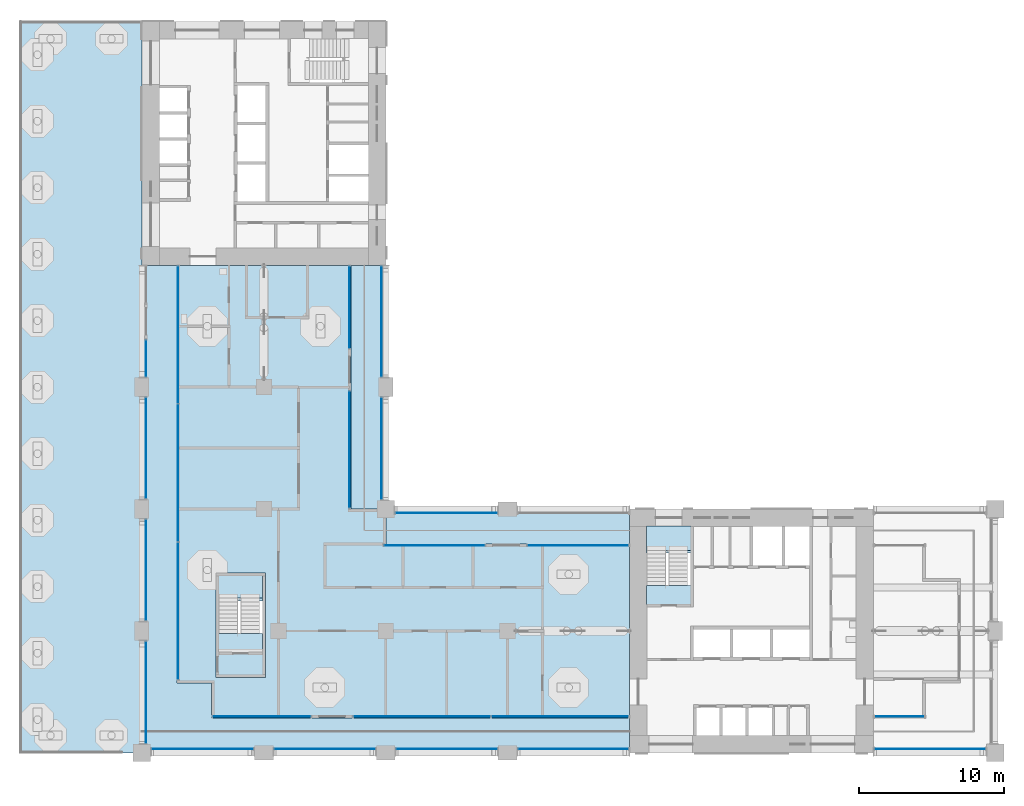
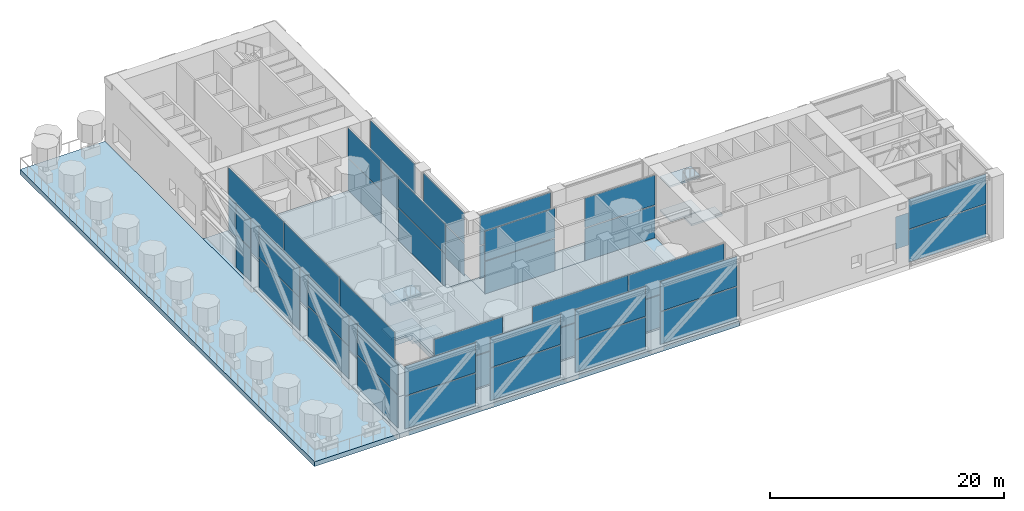
# One storey, part 7 of 22: 45 plates, 12 slabs, 22 elements without a shape of their own.
"""IFC4 building model written with IfcOpenShell, lengths in metres."""

from ifc_helpers import new_model, si_unit, direction, frame, origin, origin_2d, place, context, subcontext, project, spatial, polyline, rectangle, outline, extrude, material, layer, layer_set, type_object, element, aggregate, save


model = new_model("IFC4")

# Units and contexts
model_context = context("Model", 3, precision=1e-05, world=origin(), true_north=direction((0.0, 1.0)))
body_context = subcontext(model_context, "Body", "Model", "MODEL_VIEW")
ifc_project = project(units=[si_unit("LENGTHUNIT", "METRE"), si_unit("AREAUNIT", "SQUARE_METRE"), si_unit("VOLUMEUNIT", "CUBIC_METRE"), si_unit("PLANEANGLEUNIT", "RADIAN"), si_unit("MASSUNIT", "GRAM", prefix="KILO")], contexts=[model_context])

# Site, building, storey
site_placement = place(None, origin())
site = spatial("IfcSite", under=ifc_project, at=site_placement, CompositionType="ELEMENT")
building_placement = place(site_placement, origin())
building = spatial("IfcBuilding", under=site, at=building_placement, Name="Vermilion Gate Residences", CompositionType="ELEMENT")
storey_placement = place(building_placement, frame((0.0, 0.0, 140.699951171875)))
storey = spatial("IfcBuildingStorey", under=building, at=storey_placement, Name="L36", CompositionType="ELEMENT", Elevation=140.699951171875)

# Slabs
ifc_material_1 = material(Name="Concrete C50", Category="concrete")
ifc_layer_1 = layer(ifc_material_1, 0.5)
ifc_layer_set_1 = layer_set([ifc_layer_1], Name="RC CORE FLOOR SLAB 500 C50")
slab_type_1 = type_object("IfcSlabType", Name="RC CORE FLOOR SLAB 500 C50", PredefinedType="FLOOR", material=ifc_layer_set_1)
slab_1_placement = place(storey_placement, frame((0.0, 0.0, -0.5)))
element("IfcSlab", 1, at=slab_1_placement, inside=storey, type_object=slab_type_1, Name="Apex stair floor slab 36", PredefinedType="FLOOR", context=body_context, shape_type="SweptSolid", body=[
    extrude(outline(polyline([(13.5, 13.60009765625), (16.89990234375, 13.60009765625), (16.89990234375, 20.800048828125), (13.5, 20.800048828125), (13.5, 13.60009765625)]), holes=[polyline([(16.699951171875, 20.60009765625), (16.699951171875, 16.449951171875), (13.699951171875, 16.449951171875), (13.699951171875, 20.60009765625), (16.699951171875, 20.60009765625)])]), origin(), (0.0, 0.0, 1.0), 0.5),
])
ifc_material_2 = material(Name="Concrete C60 red-oxide pigmented", Category="concrete")
ifc_layer_2 = layer(ifc_material_2, 0.5)
ifc_layer_set_2 = layer_set([ifc_layer_2], Name="RC LOGGIA SLAB 500 C60")
slab_type_2 = type_object("IfcSlabType", Name="RC LOGGIA SLAB 500 C60", PredefinedType="FLOOR", material=ifc_layer_set_2)
slab_2_placement = place(storey_placement, frame((0.0, 0.0, -0.5)))
element("IfcSlab", 2, at=slab_2_placement, inside=storey, type_object=slab_type_2, Name="Loggia slab L36", PredefinedType="FLOOR", context=body_context, shape_type="SweptSolid", body=[
    extrude(outline(polyline([(8.39990234375, 42.0), (8.39990234375, 8.39990234375), (42.0, 8.39990234375), (42.0, 10.800048828125), (13.199951171875, 10.800048828125), (13.199951171875, 13.199951171875), (10.800048828125, 13.199951171875), (10.800048828125, 42.0), (8.39990234375, 42.0)])), origin(), (0.0, 0.0, 1.0), 0.5),
])
slab_3_placement = place(storey_placement, frame((0.0, 0.0, -0.5)))
element("IfcSlab", 3, at=slab_3_placement, inside=storey, type_object=slab_type_2, Name="Loggia slab L36", PredefinedType="FLOOR", context=body_context, shape_type="SweptSolid", body=[
    extrude(outline(polyline([(42.0, 25.199951171875), (25.199951171875, 25.199951171875), (25.199951171875, 22.800048828125), (42.0, 22.800048828125), (42.0, 25.199951171875)])), origin(), (0.0, 0.0, 1.0), 0.5),
])
slab_4_placement = place(storey_placement, frame((0.0, 0.0, -0.5)))
element("IfcSlab", 4, at=slab_4_placement, inside=storey, type_object=slab_type_2, Name="Loggia slab L36", PredefinedType="FLOOR", context=body_context, shape_type="SweptSolid", body=[
    extrude(outline(polyline([(22.800048828125, 42.0), (22.800048828125, 25.199951171875), (25.199951171875, 25.199951171875), (25.199951171875, 42.0), (22.800048828125, 42.0)])), origin(), (0.0, 0.0, 1.0), 0.5),
])
ifc_material_3 = material(Name="Concrete C60", Category="concrete")
ifc_layer_3 = layer(ifc_material_3, 0.5)
ifc_layer_set_3 = layer_set([ifc_layer_3], Name="RC SKY FLOOR SLAB 500 C60")
slab_type_3 = type_object("IfcSlabType", Name="RC SKY FLOOR SLAB 500 C60", PredefinedType="FLOOR", material=ifc_layer_set_3)
slab_5_placement = place(storey_placement, frame((0.0, 0.0, -0.5)))
element("IfcSlab", 5, at=slab_5_placement, inside=storey, type_object=slab_type_3, Name="Floor slab L36", PredefinedType="FLOOR", context=body_context, shape_type="SweptSolid", body=[
    extrude(outline(polyline([(22.800048828125, 25.199951171875), (22.800048828125, 42.0), (10.800048828125, 42.0), (10.800048828125, 13.199951171875), (13.199951171875, 13.199951171875), (13.199951171875, 10.800048828125), (42.0, 10.800048828125), (42.0, 22.800048828125), (25.199951171875, 22.800048828125), (25.199951171875, 25.199951171875), (22.800048828125, 25.199951171875)]), holes=[polyline([(13.5, 13.60009765625), (13.5, 20.800048828125), (16.89990234375, 20.800048828125), (16.89990234375, 13.60009765625), (13.5, 13.60009765625)])]), origin(), (0.0, 0.0, 1.0), 0.5),
])
ifc_material_4 = material(Name="Concrete C60", Category="concrete")
ifc_layer_4 = layer(ifc_material_4, 0.5)
ifc_layer_set_4 = layer_set([ifc_layer_4], Name="RC TERRACE SLAB 500 C60")
slab_type_4 = type_object("IfcSlabType", Name="RC TERRACE SLAB 500 C60", PredefinedType="FLOOR", material=ifc_layer_set_4)
slab_6_placement = place(storey_placement, frame((0.0, 0.0, -0.5)))
element("IfcSlab", 6, at=slab_6_placement, inside=storey, type_object=slab_type_4, Name="Terrace slab L36", PredefinedType="FLOOR", context=body_context, shape_type="SweptSolid", body=[
    extrude(outline(polyline([(0.0, 58.800048828125), (0.0, 8.39990234375), (8.39990234375, 8.39990234375), (8.39990234375, 58.800048828125), (0.0, 58.800048828125)])), origin(), (0.0, 0.0, 1.0), 0.5),
])

# Curtain wall, plates
ifc_material_5 = material(Name="Aluminium and glass", Category="aluminium")
curtain_wall_type = type_object("IfcCurtainWallType", Name="SKY GARDEN GLAZING CURTAIN WALL", PredefinedType="NOTDEFINED", material=ifc_material_5)
curtain_wall_1_placement = place(storey_placement, origin())
curtain_wall_1 = element("IfcCurtainWall", 7, at=curtain_wall_1_placement, inside=storey, type_object=curtain_wall_type, Name="Sky Garden Glazing 0", PredefinedType="NOTDEFINED")
ifc_material_6 = material(Name="Clear laminated glass", Category="glass")
ifc_layer_5 = layer(ifc_material_6, 0.035888671875)
ifc_layer_set_5 = layer_set([ifc_layer_5], Name="SKY GARDEN GLAZING GLASS PANEL 36")
plate_type = type_object("IfcPlateType", Name="SKY GARDEN GLAZING GLASS PANEL 36", PredefinedType="CURTAIN_PANEL", material=ifc_layer_set_5)
plate_1_placement = place(storey_placement, frame((10.89990234375, 37.21337890625, 0.080078125), z_axis=(0.0, 0.0, 1.0), x_axis=(0.0, -1.0, 0.0)))
plate_1 = element("IfcPlate", 8, at=plate_1_placement, type_object=plate_type, Name="ECW3 panel 1.1", PredefinedType="CURTAIN_PANEL", context=body_context, shape_type="SweptSolid", body=[
    extrude(rectangle(XDim=9.413330078125, YDim=0.035888671875, at=origin_2d()), origin(), (0.0, 0.0, 1.0), 3.3798828125),
])
plate_2_placement = place(storey_placement, frame((10.89990234375, 37.21337890625, 3.5400390625), z_axis=(0.0, 0.0, 1.0), x_axis=(0.0, -1.0, 0.0)))
plate_2 = element("IfcPlate", 9, at=plate_2_placement, type_object=plate_type, Name="ECW3 panel 1.2", PredefinedType="CURTAIN_PANEL", context=body_context, shape_type="SweptSolid", body=[
    extrude(rectangle(XDim=9.413330078125, YDim=0.035888671875, at=origin_2d()), origin(), (0.0, 0.0, 1.0), 3.10009765625),
])
plate_3_placement = place(storey_placement, frame((10.89990234375, 27.699951171875, 0.080078125), z_axis=(0.0, 0.0, 1.0), x_axis=(0.0, -1.0, 0.0)))
plate_3 = element("IfcPlate", 10, at=plate_3_placement, type_object=plate_type, Name="ECW3 panel 2.1", PredefinedType="CURTAIN_PANEL", context=body_context, shape_type="SweptSolid", body=[
    extrude(rectangle(XDim=9.453369140625, YDim=0.035888671875, at=origin_2d()), origin(), (0.0, 0.0, 1.0), 3.3798828125),
])
plate_4_placement = place(storey_placement, frame((10.89990234375, 27.699951171875, 3.5400390625), z_axis=(0.0, 0.0, 1.0), x_axis=(0.0, -1.0, 0.0)))
plate_4 = element("IfcPlate", 11, at=plate_4_placement, type_object=plate_type, Name="ECW3 panel 2.2", PredefinedType="CURTAIN_PANEL", context=body_context, shape_type="SweptSolid", body=[
    extrude(rectangle(XDim=9.453369140625, YDim=0.035888671875, at=origin_2d()), origin(), (0.0, 0.0, 1.0), 3.10009765625),
])
plate_5_placement = place(storey_placement, frame((10.89990234375, 18.186767578125, 0.080078125), z_axis=(0.0, 0.0, 1.0), x_axis=(0.0, -1.0, 0.0)))
plate_5 = element("IfcPlate", 12, at=plate_5_placement, type_object=plate_type, Name="ECW3 panel 3.1", PredefinedType="CURTAIN_PANEL", context=body_context, shape_type="SweptSolid", body=[
    extrude(rectangle(XDim=9.413330078125, YDim=0.035888671875, at=origin_2d()), origin(), (0.0, 0.0, 1.0), 3.3798828125),
])
plate_6_placement = place(storey_placement, frame((10.89990234375, 18.186767578125, 3.5400390625), z_axis=(0.0, 0.0, 1.0), x_axis=(0.0, -1.0, 0.0)))
plate_6 = element("IfcPlate", 13, at=plate_6_placement, type_object=plate_type, Name="ECW3 panel 3.2", PredefinedType="CURTAIN_PANEL", context=body_context, shape_type="SweptSolid", body=[
    extrude(rectangle(XDim=9.413330078125, YDim=0.035888671875, at=origin_2d()), origin(), (0.0, 0.0, 1.0), 3.10009765625),
])
aggregate(curtain_wall_1, [plate_1, plate_2, plate_3, plate_4, plate_5, plate_6])

curtain_wall_2_placement = place(storey_placement, origin())
curtain_wall_2 = element("IfcCurtainWall", 14, at=curtain_wall_2_placement, inside=storey, type_object=curtain_wall_type, Name="Sky Garden Glazing 30", PredefinedType="NOTDEFINED")
plate_7_placement = place(storey_placement, frame((16.64990234375, 10.89990234375, 0.080078125), z_axis=(0.0, 0.0, 1.0), x_axis=(1.0, 0.0, 0.0)))
plate_7 = element("IfcPlate", 15, at=plate_7_placement, type_object=plate_type, Name="ECW3 panel 1.1", PredefinedType="CURTAIN_PANEL", context=body_context, shape_type="SweptSolid", body=[
    extrude(rectangle(XDim=6.739990234375, YDim=0.035888671875, at=origin_2d()), origin(), (0.0, 0.0, 1.0), 3.3798828125),
])
plate_8_placement = place(storey_placement, frame((16.64990234375, 10.89990234375, 3.5400390625), z_axis=(0.0, 0.0, 1.0), x_axis=(1.0, 0.0, 0.0)))
plate_8 = element("IfcPlate", 16, at=plate_8_placement, type_object=plate_type, Name="ECW3 panel 1.2", PredefinedType="CURTAIN_PANEL", context=body_context, shape_type="SweptSolid", body=[
    extrude(rectangle(XDim=6.739990234375, YDim=0.035888671875, at=origin_2d()), origin(), (0.0, 0.0, 1.0), 3.10009765625),
])
aggregate(curtain_wall_2, [plate_7, plate_8])

curtain_wall_3_placement = place(storey_placement, origin())
curtain_wall_3 = element("IfcCurtainWall", 17, at=curtain_wall_3_placement, inside=storey, type_object=curtain_wall_type, Name="Sky Garden Glazing 32", PredefinedType="NOTDEFINED")
plate_9_placement = place(storey_placement, frame((27.695068359375, 10.89990234375, 0.080078125), z_axis=(0.0, 0.0, 1.0), x_axis=(1.0, 0.0, 0.0)))
plate_9 = element("IfcPlate", 18, at=plate_9_placement, type_object=plate_type, Name="ECW3 panel 1.1", PredefinedType="CURTAIN_PANEL", context=body_context, shape_type="SweptSolid", body=[
    extrude(rectangle(XDim=9.429931640625, YDim=0.035888671875, at=origin_2d()), origin(), (0.0, 0.0, 1.0), 3.3798828125),
])
plate_10_placement = place(storey_placement, frame((27.695068359375, 10.89990234375, 3.5400390625), z_axis=(0.0, 0.0, 1.0), x_axis=(1.0, 0.0, 0.0)))
plate_10 = element("IfcPlate", 19, at=plate_10_placement, type_object=plate_type, Name="ECW3 panel 1.2", PredefinedType="CURTAIN_PANEL", context=body_context, shape_type="SweptSolid", body=[
    extrude(rectangle(XDim=9.429931640625, YDim=0.035888671875, at=origin_2d()), origin(), (0.0, 0.0, 1.0), 3.10009765625),
])
plate_11_placement = place(storey_placement, frame((37.205078125, 10.89990234375, 0.080078125), z_axis=(0.0, 0.0, 1.0), x_axis=(1.0, 0.0, 0.0)))
plate_11 = element("IfcPlate", 20, at=plate_11_placement, type_object=plate_type, Name="ECW3 panel 2.1", PredefinedType="CURTAIN_PANEL", context=body_context, shape_type="SweptSolid", body=[
    extrude(rectangle(XDim=9.429931640625, YDim=0.035888671875, at=origin_2d()), origin(), (0.0, 0.0, 1.0), 3.3798828125),
])
plate_12_placement = place(storey_placement, frame((37.205078125, 10.89990234375, 3.5400390625), z_axis=(0.0, 0.0, 1.0), x_axis=(1.0, 0.0, 0.0)))
plate_12 = element("IfcPlate", 21, at=plate_12_placement, type_object=plate_type, Name="ECW3 panel 2.2", PredefinedType="CURTAIN_PANEL", context=body_context, shape_type="SweptSolid", body=[
    extrude(rectangle(XDim=9.429931640625, YDim=0.035888671875, at=origin_2d()), origin(), (0.0, 0.0, 1.0), 3.10009765625),
])
aggregate(curtain_wall_3, [plate_9, plate_10, plate_11, plate_12])

# Curtain wall, plate
curtain_wall_4_placement = place(storey_placement, origin())
curtain_wall_4 = element("IfcCurtainWall", 22, at=curtain_wall_4_placement, inside=storey, type_object=curtain_wall_type, Name="Sky Garden Glazing 40", PredefinedType="NOTDEFINED")
plate_13_placement = place(storey_placement, frame((60.60009765625, 10.89990234375, 0.080078125), z_axis=(0.0, 0.0, 1.0), x_axis=(1.0, 0.0, 0.0)))
plate_13 = element("IfcPlate", 23, at=plate_13_placement, type_object=plate_type, Name="ECW3 panel 1.1", PredefinedType="CURTAIN_PANEL", context=body_context, shape_type="SweptSolid", body=[
    extrude(rectangle(XDim=3.43994140625, YDim=0.035888671875, at=origin_2d()), origin(), (0.0, 0.0, 1.0), 3.3798828125),
])
aggregate(curtain_wall_4, [plate_13])

# Curtain wall, plates
curtain_wall_5_placement = place(storey_placement, origin())
curtain_wall_5 = element("IfcCurtainWall", 24, at=curtain_wall_5_placement, inside=storey, type_object=curtain_wall_type, Name="Sky Garden Glazing 110", PredefinedType="NOTDEFINED")
plate_14_placement = place(storey_placement, frame((38.449951171875, 22.699951171875, 0.080078125), z_axis=(0.0, 0.0, 1.0), x_axis=(-1.0, 0.0, 0.0)))
plate_14 = element("IfcPlate", 25, at=plate_14_placement, type_object=plate_type, Name="ECW3 panel 1.1", PredefinedType="CURTAIN_PANEL", context=body_context, shape_type="SweptSolid", body=[
    extrude(rectangle(XDim=6.93994140625, YDim=0.035888671875, at=origin_2d()), origin(), (0.0, 0.0, 1.0), 3.3798828125),
])
plate_15_placement = place(storey_placement, frame((38.449951171875, 22.699951171875, 3.5400390625), z_axis=(0.0, 0.0, 1.0), x_axis=(-1.0, 0.0, 0.0)))
plate_15 = element("IfcPlate", 26, at=plate_15_placement, type_object=plate_type, Name="ECW3 panel 1.2", PredefinedType="CURTAIN_PANEL", context=body_context, shape_type="SweptSolid", body=[
    extrude(rectangle(XDim=6.93994140625, YDim=0.035888671875, at=origin_2d()), origin(), (0.0, 0.0, 1.0), 3.10009765625),
])
aggregate(curtain_wall_5, [plate_14, plate_15])

curtain_wall_6_placement = place(storey_placement, origin())
curtain_wall_6 = element("IfcCurtainWall", 27, at=curtain_wall_6_placement, inside=storey, type_object=curtain_wall_type, Name="Sky Garden Glazing 112", PredefinedType="NOTDEFINED")
plate_16_placement = place(storey_placement, frame((28.550048828125, 22.699951171875, 0.080078125), z_axis=(0.0, 0.0, 1.0), x_axis=(-1.0, 0.0, 0.0)))
plate_16 = element("IfcPlate", 28, at=plate_16_placement, type_object=plate_type, Name="ECW3 panel 1.1", PredefinedType="CURTAIN_PANEL", context=body_context, shape_type="SweptSolid", body=[
    extrude(rectangle(XDim=6.93994140625, YDim=0.035888671875, at=origin_2d()), origin(), (0.0, 0.0, 1.0), 3.3798828125),
])
plate_17_placement = place(storey_placement, frame((28.550048828125, 22.699951171875, 3.5400390625), z_axis=(0.0, 0.0, 1.0), x_axis=(-1.0, 0.0, 0.0)))
plate_17 = element("IfcPlate", 29, at=plate_17_placement, type_object=plate_type, Name="ECW3 panel 1.2", PredefinedType="CURTAIN_PANEL", context=body_context, shape_type="SweptSolid", body=[
    extrude(rectangle(XDim=6.93994140625, YDim=0.035888671875, at=origin_2d()), origin(), (0.0, 0.0, 1.0), 3.10009765625),
])
aggregate(curtain_wall_6, [plate_16, plate_17])

curtain_wall_7_placement = place(storey_placement, origin())
curtain_wall_7 = element("IfcCurtainWall", 30, at=curtain_wall_7_placement, inside=storey, type_object=curtain_wall_type, Name="Sky Garden Glazing 140", PredefinedType="NOTDEFINED")
plate_18_placement = place(storey_placement, frame((22.699951171875, 29.300048828125, 0.080078125), z_axis=(0.0, 0.0, 1.0), x_axis=(0.0, 1.0, 0.0)))
plate_18 = element("IfcPlate", 31, at=plate_18_placement, type_object=plate_type, Name="ECW3 panel 1.1", PredefinedType="CURTAIN_PANEL", context=body_context, shape_type="SweptSolid", body=[
    extrude(rectangle(XDim=8.0400390625, YDim=0.035888671875, at=origin_2d()), origin(), (0.0, 0.0, 1.0), 3.3798828125),
])
plate_19_placement = place(storey_placement, frame((22.699951171875, 29.300048828125, 3.5400390625), z_axis=(0.0, 0.0, 1.0), x_axis=(0.0, 1.0, 0.0)))
plate_19 = element("IfcPlate", 32, at=plate_19_placement, type_object=plate_type, Name="ECW3 panel 1.2", PredefinedType="CURTAIN_PANEL", context=body_context, shape_type="SweptSolid", body=[
    extrude(rectangle(XDim=8.0400390625, YDim=0.035888671875, at=origin_2d()), origin(), (0.0, 0.0, 1.0), 3.10009765625),
])
aggregate(curtain_wall_7, [plate_18, plate_19])

curtain_wall_8_placement = place(storey_placement, origin())
curtain_wall_8 = element("IfcCurtainWall", 33, at=curtain_wall_8_placement, inside=storey, type_object=curtain_wall_type, Name="Sky Garden Glazing 142", PredefinedType="NOTDEFINED")
plate_20_placement = place(storey_placement, frame((22.699951171875, 39.10009765625, 0.080078125), z_axis=(0.0, 0.0, 1.0), x_axis=(0.0, 1.0, 0.0)))
plate_20 = element("IfcPlate", 34, at=plate_20_placement, type_object=plate_type, Name="ECW3 panel 1.1", PredefinedType="CURTAIN_PANEL", context=body_context, shape_type="SweptSolid", body=[
    extrude(rectangle(XDim=5.639892578125, YDim=0.035888671875, at=origin_2d()), origin(), (0.0, 0.0, 1.0), 3.3798828125),
])
plate_21_placement = place(storey_placement, frame((22.699951171875, 39.10009765625, 3.5400390625), z_axis=(0.0, 0.0, 1.0), x_axis=(0.0, 1.0, 0.0)))
plate_21 = element("IfcPlate", 35, at=plate_21_placement, type_object=plate_type, Name="ECW3 panel 1.2", PredefinedType="CURTAIN_PANEL", context=body_context, shape_type="SweptSolid", body=[
    extrude(rectangle(XDim=5.639892578125, YDim=0.035888671875, at=origin_2d()), origin(), (0.0, 0.0, 1.0), 3.10009765625),
])
aggregate(curtain_wall_8, [plate_20, plate_21])

curtain_wall_9_placement = place(storey_placement, origin())
curtain_wall_9 = element("IfcCurtainWall", 36, at=curtain_wall_9_placement, inside=storey, type_object=curtain_wall_type, Name="Sky Garden Glazing 702", PredefinedType="NOTDEFINED")
plate_22_placement = place(storey_placement, frame((8.679931640625, 35.58740234375, 0.080078125), z_axis=(0.0, 0.0, 1.0), x_axis=(0.0, -1.0, 0.0)))
plate_22 = element("IfcPlate", 37, at=plate_22_placement, type_object=plate_type, Name="ECW3 panel 1.1", PredefinedType="CURTAIN_PANEL", context=body_context, shape_type="SweptSolid", body=[
    extrude(rectangle(XDim=2.514892578125, YDim=0.035888671875, at=origin_2d()), origin(), (0.0, 0.0, 1.0), 3.3798828125),
])
plate_23_placement = place(storey_placement, frame((8.679931640625, 35.58740234375, 3.5400390625), z_axis=(0.0, 0.0, 1.0), x_axis=(0.0, -1.0, 0.0)))
plate_23 = element("IfcPlate", 38, at=plate_23_placement, type_object=plate_type, Name="ECW3 panel 1.2", PredefinedType="CURTAIN_PANEL", context=body_context, shape_type="SweptSolid", body=[
    extrude(rectangle(XDim=2.514892578125, YDim=0.035888671875, at=origin_2d()), origin(), (0.0, 0.0, 1.0), 3.10009765625),
])
aggregate(curtain_wall_9, [plate_22, plate_23])

curtain_wall_10_placement = place(storey_placement, origin())
curtain_wall_10 = element("IfcCurtainWall", 39, at=curtain_wall_10_placement, inside=storey, type_object=curtain_wall_type, Name="Sky Garden Glazing 501", PredefinedType="NOTDEFINED")
plate_24_placement = place(storey_placement, frame((8.679931640625, 29.39990234375, 0.080078125), z_axis=(0.0, 0.0, 1.0), x_axis=(0.0, -1.0, 0.0)))
plate_24 = element("IfcPlate", 40, at=plate_24_placement, type_object=plate_type, Name="ECW3 panel 1.1", PredefinedType="CURTAIN_PANEL", context=body_context, shape_type="SweptSolid", body=[
    extrude(rectangle(XDim=6.93994140625, YDim=0.035888671875, at=origin_2d()), origin(), (0.0, 0.0, 1.0), 3.3798828125),
])
plate_25_placement = place(storey_placement, frame((8.679931640625, 29.39990234375, 3.5400390625), z_axis=(0.0, 0.0, 1.0), x_axis=(0.0, -1.0, 0.0)))
plate_25 = element("IfcPlate", 41, at=plate_25_placement, type_object=plate_type, Name="ECW3 panel 1.2", PredefinedType="CURTAIN_PANEL", context=body_context, shape_type="SweptSolid", body=[
    extrude(rectangle(XDim=6.93994140625, YDim=0.035888671875, at=origin_2d()), origin(), (0.0, 0.0, 1.0), 3.10009765625),
])
aggregate(curtain_wall_10, [plate_24, plate_25])

curtain_wall_11_placement = place(storey_placement, origin())
curtain_wall_11 = element("IfcCurtainWall", 42, at=curtain_wall_11_placement, inside=storey, type_object=curtain_wall_type, Name="Sky Garden Glazing 502", PredefinedType="NOTDEFINED")
plate_26_placement = place(storey_placement, frame((8.679931640625, 21.0, 0.080078125), z_axis=(0.0, 0.0, 1.0), x_axis=(0.0, -1.0, 0.0)))
plate_26 = element("IfcPlate", 43, at=plate_26_placement, type_object=plate_type, Name="ECW3 panel 1.1", PredefinedType="CURTAIN_PANEL", context=body_context, shape_type="SweptSolid", body=[
    extrude(rectangle(XDim=6.93994140625, YDim=0.035888671875, at=origin_2d()), origin(), (0.0, 0.0, 1.0), 3.3798828125),
])
plate_27_placement = place(storey_placement, frame((8.679931640625, 21.0, 3.5400390625), z_axis=(0.0, 0.0, 1.0), x_axis=(0.0, -1.0, 0.0)))
plate_27 = element("IfcPlate", 44, at=plate_27_placement, type_object=plate_type, Name="ECW3 panel 1.2", PredefinedType="CURTAIN_PANEL", context=body_context, shape_type="SweptSolid", body=[
    extrude(rectangle(XDim=6.93994140625, YDim=0.035888671875, at=origin_2d()), origin(), (0.0, 0.0, 1.0), 3.10009765625),
])
aggregate(curtain_wall_11, [plate_26, plate_27])

curtain_wall_12_placement = place(storey_placement, origin())
curtain_wall_12 = element("IfcCurtainWall", 45, at=curtain_wall_12_placement, inside=storey, type_object=curtain_wall_type, Name="Sky Garden Glazing 503", PredefinedType="NOTDEFINED")
plate_28_placement = place(storey_placement, frame((8.679931640625, 12.574951171875, 0.080078125), z_axis=(0.0, 0.0, 1.0), x_axis=(0.0, -1.0, 0.0)))
plate_28 = element("IfcPlate", 46, at=plate_28_placement, type_object=plate_type, Name="ECW3 panel 1.1", PredefinedType="CURTAIN_PANEL", context=body_context, shape_type="SweptSolid", body=[
    extrude(rectangle(XDim=6.989990234375, YDim=0.035888671875, at=origin_2d()), origin(), (0.0, 0.0, 1.0), 3.3798828125),
])
plate_29_placement = place(storey_placement, frame((8.679931640625, 12.574951171875, 3.5400390625), z_axis=(0.0, 0.0, 1.0), x_axis=(0.0, -1.0, 0.0)))
plate_29 = element("IfcPlate", 47, at=plate_29_placement, type_object=plate_type, Name="ECW3 panel 1.2", PredefinedType="CURTAIN_PANEL", context=body_context, shape_type="SweptSolid", body=[
    extrude(rectangle(XDim=6.989990234375, YDim=0.035888671875, at=origin_2d()), origin(), (0.0, 0.0, 1.0), 3.10009765625),
])
aggregate(curtain_wall_12, [plate_28, plate_29])

curtain_wall_13_placement = place(storey_placement, origin())
curtain_wall_13 = element("IfcCurtainWall", 48, at=curtain_wall_13_placement, inside=storey, type_object=curtain_wall_type, Name="Sky Garden Glazing 504", PredefinedType="NOTDEFINED")
plate_30_placement = place(storey_placement, frame((12.574951171875, 8.679931640625, 0.080078125), z_axis=(0.0, 0.0, 1.0), x_axis=(1.0, 0.0, 0.0)))
plate_30 = element("IfcPlate", 49, at=plate_30_placement, type_object=plate_type, Name="ECW3 panel 1.1", PredefinedType="CURTAIN_PANEL", context=body_context, shape_type="SweptSolid", body=[
    extrude(rectangle(XDim=6.989990234375, YDim=0.035888671875, at=origin_2d()), origin(), (0.0, 0.0, 1.0), 3.3798828125),
])
plate_31_placement = place(storey_placement, frame((12.574951171875, 8.679931640625, 3.5400390625), z_axis=(0.0, 0.0, 1.0), x_axis=(1.0, 0.0, 0.0)))
plate_31 = element("IfcPlate", 50, at=plate_31_placement, type_object=plate_type, Name="ECW3 panel 1.2", PredefinedType="CURTAIN_PANEL", context=body_context, shape_type="SweptSolid", body=[
    extrude(rectangle(XDim=6.989990234375, YDim=0.035888671875, at=origin_2d()), origin(), (0.0, 0.0, 1.0), 3.10009765625),
])
aggregate(curtain_wall_13, [plate_30, plate_31])

curtain_wall_14_placement = place(storey_placement, origin())
curtain_wall_14 = element("IfcCurtainWall", 51, at=curtain_wall_14_placement, inside=storey, type_object=curtain_wall_type, Name="Sky Garden Glazing 505", PredefinedType="NOTDEFINED")
plate_32_placement = place(storey_placement, frame((21.0, 8.679931640625, 0.080078125), z_axis=(0.0, 0.0, 1.0), x_axis=(1.0, 0.0, 0.0)))
plate_32 = element("IfcPlate", 52, at=plate_32_placement, type_object=plate_type, Name="ECW3 panel 1.1", PredefinedType="CURTAIN_PANEL", context=body_context, shape_type="SweptSolid", body=[
    extrude(rectangle(XDim=6.93994140625, YDim=0.035888671875, at=origin_2d()), origin(), (0.0, 0.0, 1.0), 3.3798828125),
])
plate_33_placement = place(storey_placement, frame((21.0, 8.679931640625, 3.5400390625), z_axis=(0.0, 0.0, 1.0), x_axis=(1.0, 0.0, 0.0)))
plate_33 = element("IfcPlate", 53, at=plate_33_placement, type_object=plate_type, Name="ECW3 panel 1.2", PredefinedType="CURTAIN_PANEL", context=body_context, shape_type="SweptSolid", body=[
    extrude(rectangle(XDim=6.93994140625, YDim=0.035888671875, at=origin_2d()), origin(), (0.0, 0.0, 1.0), 3.10009765625),
])
aggregate(curtain_wall_14, [plate_32, plate_33])

curtain_wall_15_placement = place(storey_placement, origin())
curtain_wall_15 = element("IfcCurtainWall", 54, at=curtain_wall_15_placement, inside=storey, type_object=curtain_wall_type, Name="Sky Garden Glazing 506", PredefinedType="NOTDEFINED")
plate_34_placement = place(storey_placement, frame((29.39990234375, 8.679931640625, 0.080078125), z_axis=(0.0, 0.0, 1.0), x_axis=(1.0, 0.0, 0.0)))
plate_34 = element("IfcPlate", 55, at=plate_34_placement, type_object=plate_type, Name="ECW3 panel 1.1", PredefinedType="CURTAIN_PANEL", context=body_context, shape_type="SweptSolid", body=[
    extrude(rectangle(XDim=6.93994140625, YDim=0.035888671875, at=origin_2d()), origin(), (0.0, 0.0, 1.0), 3.3798828125),
])
plate_35_placement = place(storey_placement, frame((29.39990234375, 8.679931640625, 3.5400390625), z_axis=(0.0, 0.0, 1.0), x_axis=(1.0, 0.0, 0.0)))
plate_35 = element("IfcPlate", 56, at=plate_35_placement, type_object=plate_type, Name="ECW3 panel 1.2", PredefinedType="CURTAIN_PANEL", context=body_context, shape_type="SweptSolid", body=[
    extrude(rectangle(XDim=6.93994140625, YDim=0.035888671875, at=origin_2d()), origin(), (0.0, 0.0, 1.0), 3.10009765625),
])
aggregate(curtain_wall_15, [plate_34, plate_35])

curtain_wall_16_placement = place(storey_placement, origin())
curtain_wall_16 = element("IfcCurtainWall", 57, at=curtain_wall_16_placement, inside=storey, type_object=curtain_wall_type, Name="Sky Garden Glazing 507", PredefinedType="NOTDEFINED")
plate_36_placement = place(storey_placement, frame((38.125, 8.679931640625, 0.080078125), z_axis=(0.0, 0.0, 1.0), x_axis=(1.0, 0.0, 0.0)))
plate_36 = element("IfcPlate", 58, at=plate_36_placement, type_object=plate_type, Name="ECW3 panel 1.1", PredefinedType="CURTAIN_PANEL", context=body_context, shape_type="SweptSolid", body=[
    extrude(rectangle(XDim=7.590087890625, YDim=0.035888671875, at=origin_2d()), origin(), (0.0, 0.0, 1.0), 3.3798828125),
])
plate_37_placement = place(storey_placement, frame((38.125, 8.679931640625, 3.5400390625), z_axis=(0.0, 0.0, 1.0), x_axis=(1.0, 0.0, 0.0)))
plate_37 = element("IfcPlate", 59, at=plate_37_placement, type_object=plate_type, Name="ECW3 panel 1.2", PredefinedType="CURTAIN_PANEL", context=body_context, shape_type="SweptSolid", body=[
    extrude(rectangle(XDim=7.590087890625, YDim=0.035888671875, at=origin_2d()), origin(), (0.0, 0.0, 1.0), 3.10009765625),
])
aggregate(curtain_wall_16, [plate_36, plate_37])

curtain_wall_17_placement = place(storey_placement, origin())
curtain_wall_17 = element("IfcCurtainWall", 60, at=curtain_wall_17_placement, inside=storey, type_object=curtain_wall_type, Name="Sky Garden Glazing 508", PredefinedType="NOTDEFINED")
plate_38_placement = place(storey_placement, frame((62.699951171875, 8.679931640625, 0.080078125), z_axis=(0.0, 0.0, 1.0), x_axis=(1.0, 0.0, 0.0)))
plate_38 = element("IfcPlate", 61, at=plate_38_placement, type_object=plate_type, Name="ECW3 panel 1.1", PredefinedType="CURTAIN_PANEL", context=body_context, shape_type="SweptSolid", body=[
    extrude(rectangle(XDim=7.639892578125, YDim=0.035888671875, at=origin_2d()), origin(), (0.0, 0.0, 1.0), 3.3798828125),
])
plate_39_placement = place(storey_placement, frame((62.699951171875, 8.679931640625, 3.5400390625), z_axis=(0.0, 0.0, 1.0), x_axis=(1.0, 0.0, 0.0)))
plate_39 = element("IfcPlate", 62, at=plate_39_placement, type_object=plate_type, Name="ECW3 panel 1.2", PredefinedType="CURTAIN_PANEL", context=body_context, shape_type="SweptSolid", body=[
    extrude(rectangle(XDim=7.639892578125, YDim=0.035888671875, at=origin_2d()), origin(), (0.0, 0.0, 1.0), 3.10009765625),
])
aggregate(curtain_wall_17, [plate_38, plate_39])

curtain_wall_18_placement = place(storey_placement, origin())
curtain_wall_18 = element("IfcCurtainWall", 63, at=curtain_wall_18_placement, inside=storey, type_object=curtain_wall_type, Name="Sky Garden Glazing 515", PredefinedType="NOTDEFINED")
plate_40_placement = place(storey_placement, frame((29.375, 24.919921875, 0.080078125), z_axis=(0.0, 0.0, 1.0), x_axis=(-1.0, 0.0, 0.0)))
plate_40 = element("IfcPlate", 64, at=plate_40_placement, type_object=plate_type, Name="ECW3 panel 1.1", PredefinedType="CURTAIN_PANEL", context=body_context, shape_type="SweptSolid", body=[
    extrude(rectangle(XDim=6.989990234375, YDim=0.035888671875, at=origin_2d()), origin(), (0.0, 0.0, 1.0), 3.3798828125),
])
plate_41_placement = place(storey_placement, frame((29.375, 24.919921875, 3.5400390625), z_axis=(0.0, 0.0, 1.0), x_axis=(-1.0, 0.0, 0.0)))
plate_41 = element("IfcPlate", 65, at=plate_41_placement, type_object=plate_type, Name="ECW3 panel 1.2", PredefinedType="CURTAIN_PANEL", context=body_context, shape_type="SweptSolid", body=[
    extrude(rectangle(XDim=6.989990234375, YDim=0.035888671875, at=origin_2d()), origin(), (0.0, 0.0, 1.0), 3.10009765625),
])
aggregate(curtain_wall_18, [plate_40, plate_41])

curtain_wall_19_placement = place(storey_placement, origin())
curtain_wall_19 = element("IfcCurtainWall", 66, at=curtain_wall_19_placement, inside=storey, type_object=curtain_wall_type, Name="Sky Garden Glazing 516", PredefinedType="NOTDEFINED")
plate_42_placement = place(storey_placement, frame((24.919921875, 29.375, 0.080078125), z_axis=(0.0, 0.0, 1.0), x_axis=(0.0, 1.0, 0.0)))
plate_42 = element("IfcPlate", 67, at=plate_42_placement, type_object=plate_type, Name="ECW3 panel 1.1", PredefinedType="CURTAIN_PANEL", context=body_context, shape_type="SweptSolid", body=[
    extrude(rectangle(XDim=6.989990234375, YDim=0.035888671875, at=origin_2d()), origin(), (0.0, 0.0, 1.0), 3.3798828125),
])
plate_43_placement = place(storey_placement, frame((24.919921875, 29.375, 3.5400390625), z_axis=(0.0, 0.0, 1.0), x_axis=(0.0, 1.0, 0.0)))
plate_43 = element("IfcPlate", 68, at=plate_43_placement, type_object=plate_type, Name="ECW3 panel 1.2", PredefinedType="CURTAIN_PANEL", context=body_context, shape_type="SweptSolid", body=[
    extrude(rectangle(XDim=6.989990234375, YDim=0.035888671875, at=origin_2d()), origin(), (0.0, 0.0, 1.0), 3.10009765625),
])
aggregate(curtain_wall_19, [plate_42, plate_43])

curtain_wall_20_placement = place(storey_placement, origin())
curtain_wall_20 = element("IfcCurtainWall", 69, at=curtain_wall_20_placement, inside=storey, type_object=curtain_wall_type, Name="Sky Garden Glazing 517", PredefinedType="NOTDEFINED")
plate_44_placement = place(storey_placement, frame((24.919921875, 38.125, 0.080078125), z_axis=(0.0, 0.0, 1.0), x_axis=(0.0, 1.0, 0.0)))
plate_44 = element("IfcPlate", 70, at=plate_44_placement, type_object=plate_type, Name="ECW3 panel 1.1", PredefinedType="CURTAIN_PANEL", context=body_context, shape_type="SweptSolid", body=[
    extrude(rectangle(XDim=7.590087890625, YDim=0.035888671875, at=origin_2d()), origin(), (0.0, 0.0, 1.0), 3.3798828125),
])
plate_45_placement = place(storey_placement, frame((24.919921875, 38.125, 3.5400390625), z_axis=(0.0, 0.0, 1.0), x_axis=(0.0, 1.0, 0.0)))
plate_45 = element("IfcPlate", 71, at=plate_45_placement, type_object=plate_type, Name="ECW3 panel 1.2", PredefinedType="CURTAIN_PANEL", context=body_context, shape_type="SweptSolid", body=[
    extrude(rectangle(XDim=7.590087890625, YDim=0.035888671875, at=origin_2d()), origin(), (0.0, 0.0, 1.0), 3.10009765625),
])
aggregate(curtain_wall_20, [plate_44, plate_45])

# Stair, slabs
ifc_material_7 = material(Name="Concrete C50", Category="concrete")
stair_type = type_object("IfcStairType", Name="SPECIAL ESCAPE STAIR 1300", PredefinedType="HALF_TURN_STAIR", material=ifc_material_7)
stair_1_placement = place(storey_placement, origin())
stair_1 = element("IfcStair", 72, at=stair_1_placement, inside=storey, type_object=stair_type, Name="Special escape stair STA1-36", PredefinedType="HALF_TURN_STAIR")
ifc_material_8 = material(Name="Concrete C50", Category="concrete")
ifc_layer_6 = layer(ifc_material_8, 0.199951171875)
ifc_layer_set_6 = layer_set([ifc_layer_6], Name="STAIR LANDING 200 C50")
slab_type_5 = type_object("IfcSlabType", Name="STAIR LANDING 200 C50", PredefinedType="LANDING", material=ifc_layer_set_6)
slab_7_placement = place(storey_placement, frame((0.0, 0.0, 1.550048828125)))
slab_7 = element("IfcSlab", 73, at=slab_7_placement, type_object=slab_type_5, Name="STA1-36 landing 1", PredefinedType="LANDING", context=body_context, shape_type="SweptSolid", body=[
    extrude(outline(polyline([(46.219970703125, 22.179931640625), (46.219970703125, 24.02001953125), (43.179931640625, 24.02001953125), (43.179931640625, 22.179931640625), (46.219970703125, 22.179931640625)])), origin(), (0.0, 0.0, 1.0), 0.199951171875),
])
slab_8_placement = place(storey_placement, frame((0.0, 0.0, 3.300048828125)))
slab_8 = element("IfcSlab", 74, at=slab_8_placement, type_object=slab_type_5, Name="STA1-36 landing 2", PredefinedType="LANDING", context=body_context, shape_type="SweptSolid", body=[
    extrude(outline(polyline([(46.219970703125, 18.6298828125), (46.219970703125, 19.929931640625), (43.179931640625, 19.929931640625), (43.179931640625, 18.6298828125), (46.219970703125, 18.6298828125)])), origin(), (0.0, 0.0, 1.0), 0.199951171875),
])
slab_9_placement = place(storey_placement, frame((0.0, 0.0, 5.050048828125)))
slab_9 = element("IfcSlab", 75, at=slab_9_placement, type_object=slab_type_5, Name="STA1-36 landing 3", PredefinedType="LANDING", context=body_context, shape_type="SweptSolid", body=[
    extrude(outline(polyline([(46.219970703125, 22.360107421875), (46.219970703125, 24.02001953125), (43.179931640625, 24.02001953125), (43.179931640625, 22.360107421875), (46.219970703125, 22.360107421875)])), origin(), (0.0, 0.0, 1.0), 0.199951171875),
])
aggregate(stair_1, [slab_7, slab_8, slab_9])

stair_2_placement = place(storey_placement, origin())
stair_2 = element("IfcStair", 76, at=stair_2_placement, inside=storey, type_object=stair_type, Name="Special escape stair STC1-36", PredefinedType="HALF_TURN_STAIR")
slab_10_placement = place(storey_placement, frame((0.0, 0.0, 1.550048828125)))
slab_10 = element("IfcSlab", 77, at=slab_10_placement, type_object=slab_type_5, Name="STC1-36 landing 1", PredefinedType="LANDING", context=body_context, shape_type="SweptSolid", body=[
    extrude(outline(polyline([(16.719970703125, 18.8798828125), (16.719970703125, 20.6201171875), (13.679931640625, 20.6201171875), (13.679931640625, 18.8798828125), (16.719970703125, 18.8798828125)])), origin(), (0.0, 0.0, 1.0), 0.199951171875),
])
slab_11_placement = place(storey_placement, frame((0.0, 0.0, 3.300048828125)))
slab_11 = element("IfcSlab", 78, at=slab_11_placement, type_object=slab_type_5, Name="STC1-36 landing 2", PredefinedType="LANDING", context=body_context, shape_type="SweptSolid", body=[
    extrude(outline(polyline([(16.719970703125, 15.330078125), (16.719970703125, 16.6298828125), (13.679931640625, 16.6298828125), (13.679931640625, 15.330078125), (16.719970703125, 15.330078125)])), origin(), (0.0, 0.0, 1.0), 0.199951171875),
])
slab_12_placement = place(storey_placement, frame((0.0, 0.0, 5.050048828125)))
slab_12 = element("IfcSlab", 79, at=slab_12_placement, type_object=slab_type_5, Name="STC1-36 landing 3", PredefinedType="LANDING", context=body_context, shape_type="SweptSolid", body=[
    extrude(outline(polyline([(16.719970703125, 19.06005859375), (16.719970703125, 20.6201171875), (13.679931640625, 20.6201171875), (13.679931640625, 19.06005859375), (16.719970703125, 19.06005859375)])), origin(), (0.0, 0.0, 1.0), 0.199951171875),
])
aggregate(stair_2, [slab_10, slab_11, slab_12])

save(model, "model.ifc")
